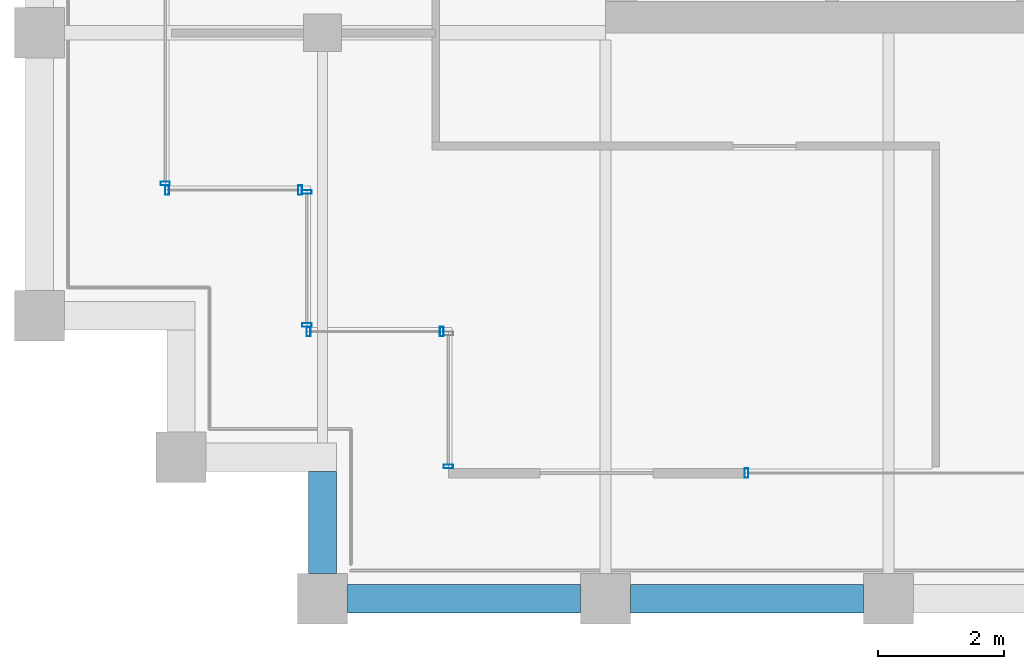
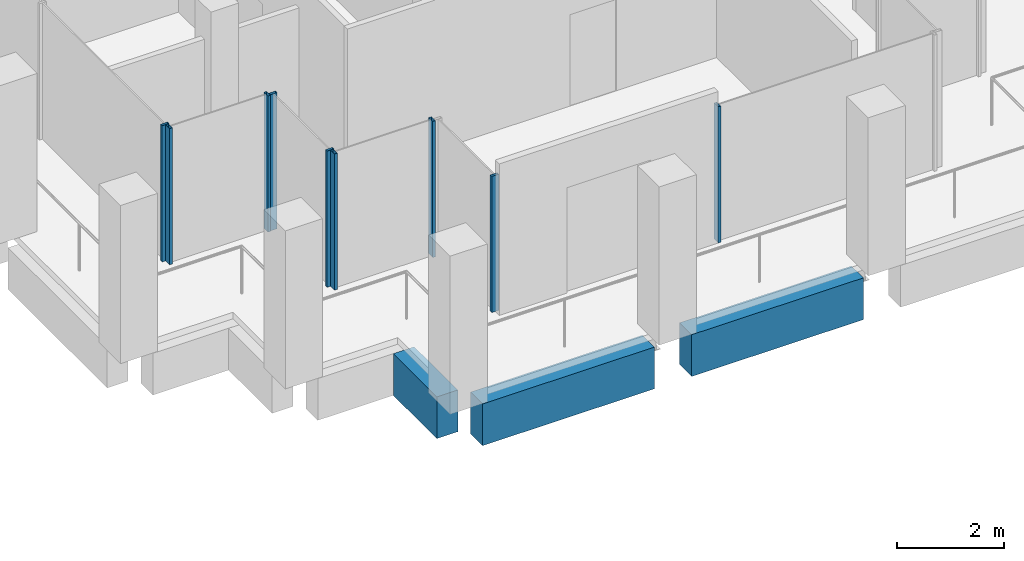
# One storey, part 28 of 40: 9 members, 3 beams, 6 elements without a shape of their own.
"""IFC4 building model written with IfcOpenShell, lengths in metres."""

from ifc_helpers import new_model, si_unit, direction, frame, origin, origin_2d, place, context, subcontext, project, spatial, rectangle, hollow_rectangle, extrude, material, material_profile, profile_set, type_object, element, aggregate, save


model = new_model("IFC4")

# Units and contexts
model_context = context("Model", 3, precision=1e-05, world=origin(), true_north=direction((0.0, 1.0)))
body_context = subcontext(model_context, "Body", "Model", "MODEL_VIEW")
ifc_project = project(units=[si_unit("LENGTHUNIT", "METRE"), si_unit("AREAUNIT", "SQUARE_METRE"), si_unit("VOLUMEUNIT", "CUBIC_METRE"), si_unit("PLANEANGLEUNIT", "RADIAN"), si_unit("MASSUNIT", "GRAM", prefix="KILO")], contexts=[model_context])

# Site, building, storey
site_placement = place(None, origin())
site = spatial("IfcSite", under=ifc_project, at=site_placement, CompositionType="ELEMENT")
building_placement = place(site_placement, origin())
building = spatial("IfcBuilding", under=site, at=building_placement, Name="Altepetl Exchange Towers", CompositionType="ELEMENT")
storey_placement = place(building_placement, frame((0.0, 0.0, 202.800048828125)))
storey = spatial("IfcBuildingStorey", under=building, at=storey_placement, Name="L51", CompositionType="ELEMENT", Elevation=202.800048828125)

# Curtain wall, member
ifc_material_1 = material(Name="Aluminium 6063-T6 glazing", Category="aluminium")
curtain_wall_type = type_object("IfcCurtainWallType", Name="Loggia glazing system", PredefinedType="NOTDEFINED", material=ifc_material_1)
curtain_wall_1_placement = place(storey_placement, origin())
curtain_wall_1 = element("IfcCurtainWall", 1, at=curtain_wall_1_placement, inside=storey, type_object=curtain_wall_type, Name="CW1 run", PredefinedType="NOTDEFINED")
ifc_material_2 = material(Name="Aluminium 6063-T6", Category="aluminium")
ifc_material_profile_1 = material_profile(ifc_material_2, hollow_rectangle(XDim=0.06005859375, YDim=0.14990234375, WallThickness=0.0029296875, at=origin_2d()), Name="Mullion 60x150 aluminium")
ifc_profile_set_1 = profile_set([ifc_material_profile_1], Name="Aluminium 6063-T6")
member_type = type_object("IfcMemberType", Name="Mullion 60x150 aluminium", PredefinedType="MULLION", material=ifc_profile_set_1)
member_1_placement = place(storey_placement, frame((101.0, 29.10498046875, 0.0), z_axis=(0.0, 0.0, 1.0), x_axis=(0.0, -1.0, 0.0)))
member_1 = element("IfcMember", 2, at=member_1_placement, type_object=member_type, Name="MU1 mullion", PredefinedType="MULLION", context=body_context, shape_type="SweptSolid", body=[
    extrude(hollow_rectangle(XDim=0.06005859375, YDim=0.14990234375, WallThickness=0.0029296875, at=origin_2d()), origin(), (0.0, 0.0, 1.0), 3.099853515625),
])
aggregate(curtain_wall_1, [member_1])

curtain_wall_2_placement = place(storey_placement, origin())
curtain_wall_2 = element("IfcCurtainWall", 3, at=curtain_wall_2_placement, inside=storey, type_object=curtain_wall_type, Name="CW1 run", PredefinedType="NOTDEFINED")
member_2_placement = place(storey_placement, frame((105.742431640625, 29.0, 0.0)))
member_2 = element("IfcMember", 4, at=member_2_placement, type_object=member_type, Name="MU1 mullion", PredefinedType="MULLION", context=body_context, shape_type="SweptSolid", body=[
    extrude(hollow_rectangle(XDim=0.06005859375, YDim=0.14990234375, WallThickness=0.0029296875, at=origin_2d()), origin(), (0.0, 0.0, 1.0), 3.099853515625),
])
aggregate(curtain_wall_2, [member_2])

curtain_wall_3_placement = place(storey_placement, origin())
curtain_wall_3 = element("IfcCurtainWall", 5, at=curtain_wall_3_placement, inside=storey, type_object=curtain_wall_type, Name="CW1 run", PredefinedType="NOTDEFINED")
member_3_placement = place(storey_placement, frame((96.5, 33.60498046875, 0.0), z_axis=(0.0, 0.0, 1.0), x_axis=(0.0, -1.0, 0.0)))
member_3 = element("IfcMember", 6, at=member_3_placement, type_object=member_type, Name="MU1 mullion", PredefinedType="MULLION", context=body_context, shape_type="SweptSolid", body=[
    extrude(hollow_rectangle(XDim=0.06005859375, YDim=0.14990234375, WallThickness=0.0029296875, at=origin_2d()), origin(), (0.0, 0.0, 1.0), 3.099853515625),
])
aggregate(curtain_wall_3, [member_3])

# Curtain wall, members
curtain_wall_4_placement = place(storey_placement, origin())
curtain_wall_4 = element("IfcCurtainWall", 7, at=curtain_wall_4_placement, inside=storey, type_object=curtain_wall_type, Name="CW1 run", PredefinedType="NOTDEFINED")
member_4_placement = place(storey_placement, frame((96.530029296875, 33.5, 0.0)))
member_4 = element("IfcMember", 8, at=member_4_placement, type_object=member_type, Name="MU1 mullion", PredefinedType="MULLION", context=body_context, shape_type="SweptSolid", body=[
    extrude(hollow_rectangle(XDim=0.06005859375, YDim=0.14990234375, WallThickness=0.0029296875, at=origin_2d()), origin(), (0.0, 0.0, 1.0), 3.099853515625),
])
member_5_placement = place(storey_placement, frame((98.64501953125, 33.5, 0.0)))
member_5 = element("IfcMember", 9, at=member_5_placement, type_object=member_type, Name="MU1 mullion", PredefinedType="MULLION", context=body_context, shape_type="SweptSolid", body=[
    extrude(hollow_rectangle(XDim=0.06005859375, YDim=0.14990234375, WallThickness=0.0029296875, at=origin_2d()), origin(), (0.0, 0.0, 1.0), 3.099853515625),
])
aggregate(curtain_wall_4, [member_4, member_5])

curtain_wall_5_placement = place(storey_placement, origin())
curtain_wall_5 = element("IfcCurtainWall", 10, at=curtain_wall_5_placement, inside=storey, type_object=curtain_wall_type, Name="CW1 run", PredefinedType="NOTDEFINED")
member_6_placement = place(storey_placement, frame((98.75, 33.469970703125, 0.0), z_axis=(0.0, 0.0, 1.0), x_axis=(0.0, -1.0, 0.0)))
member_6 = element("IfcMember", 11, at=member_6_placement, type_object=member_type, Name="MU1 mullion", PredefinedType="MULLION", context=body_context, shape_type="SweptSolid", body=[
    extrude(hollow_rectangle(XDim=0.06005859375, YDim=0.14990234375, WallThickness=0.0029296875, at=origin_2d()), origin(), (0.0, 0.0, 1.0), 3.099853515625),
])
member_7_placement = place(storey_placement, frame((98.75, 31.35498046875, 0.0), z_axis=(0.0, 0.0, 1.0), x_axis=(0.0, -1.0, 0.0)))
member_7 = element("IfcMember", 12, at=member_7_placement, type_object=member_type, Name="MU1 mullion", PredefinedType="MULLION", context=body_context, shape_type="SweptSolid", body=[
    extrude(hollow_rectangle(XDim=0.06005859375, YDim=0.14990234375, WallThickness=0.0029296875, at=origin_2d()), origin(), (0.0, 0.0, 1.0), 3.099853515625),
])
aggregate(curtain_wall_5, [member_6, member_7])

curtain_wall_6_placement = place(storey_placement, origin())
curtain_wall_6 = element("IfcCurtainWall", 13, at=curtain_wall_6_placement, inside=storey, type_object=curtain_wall_type, Name="CW1 run", PredefinedType="NOTDEFINED")
member_8_placement = place(storey_placement, frame((98.780029296875, 31.25, 0.0)))
member_8 = element("IfcMember", 14, at=member_8_placement, type_object=member_type, Name="MU1 mullion", PredefinedType="MULLION", context=body_context, shape_type="SweptSolid", body=[
    extrude(hollow_rectangle(XDim=0.06005859375, YDim=0.14990234375, WallThickness=0.0029296875, at=origin_2d()), origin(), (0.0, 0.0, 1.0), 3.099853515625),
])
member_9_placement = place(storey_placement, frame((100.89501953125, 31.25, 0.0)))
member_9 = element("IfcMember", 15, at=member_9_placement, type_object=member_type, Name="MU1 mullion", PredefinedType="MULLION", context=body_context, shape_type="SweptSolid", body=[
    extrude(hollow_rectangle(XDim=0.06005859375, YDim=0.14990234375, WallThickness=0.0029296875, at=origin_2d()), origin(), (0.0, 0.0, 1.0), 3.099853515625),
])
aggregate(curtain_wall_6, [member_8, member_9])

# Beams
ifc_material_3 = material(Name="Concrete C50/60 precast with tezontle facing", Category="concrete")
ifc_material_profile_2 = material_profile(ifc_material_3, rectangle(XDim=0.449951171875, YDim=0.949951171875, at=origin_2d()), Name="450 x 950")
ifc_profile_set_2 = profile_set([ifc_material_profile_2], Name="Concrete C50/60 precast with tezontle facing")
beam_type = type_object("IfcBeamType", Name="Spandrel beam 450x950 tezontle", PredefinedType="SPANDREL", material=ifc_profile_set_2)
for number, where, z_axis, x_axis, name in (
    (16, (99.39990234375, 27.0, -0.625), (1.0, 0.0, 0.0), (0.0, 1.0, 0.0), "sp:B:L51:000"),
    (17, (103.89990234375, 27.0, -0.625), (1.0, 0.0, 0.0), (0.0, 1.0, 0.0), "sp:B:L51:001"),
):
    element("IfcBeam", number, at=place(storey_placement, frame(where, z_axis=z_axis, x_axis=x_axis)), inside=storey, type_object=beam_type, Name=name, PredefinedType="SPANDREL", context=body_context, shape_type="SweptSolid", body=[
        extrude(rectangle(XDim=0.449951171875, YDim=0.949951171875, at=origin_2d()), origin(), (0.0, 0.0, 1.0), 3.7001953125),
    ])
beam_placement = place(storey_placement, frame((99.0, 29.02490234375, -0.625), z_axis=(0.0, -1.0, 0.0), x_axis=(1.0, 0.0, 0.0)))
element("IfcBeam", 18, at=beam_placement, inside=storey, type_object=beam_type, Name="sp:B:L51:023", PredefinedType="SPANDREL", context=body_context, shape_type="SweptSolid", body=[
    extrude(rectangle(XDim=0.449951171875, YDim=0.949951171875, at=origin_2d()), origin(), (0.0, 0.0, 1.0), 1.625),
])

save(model, "model.ifc")
